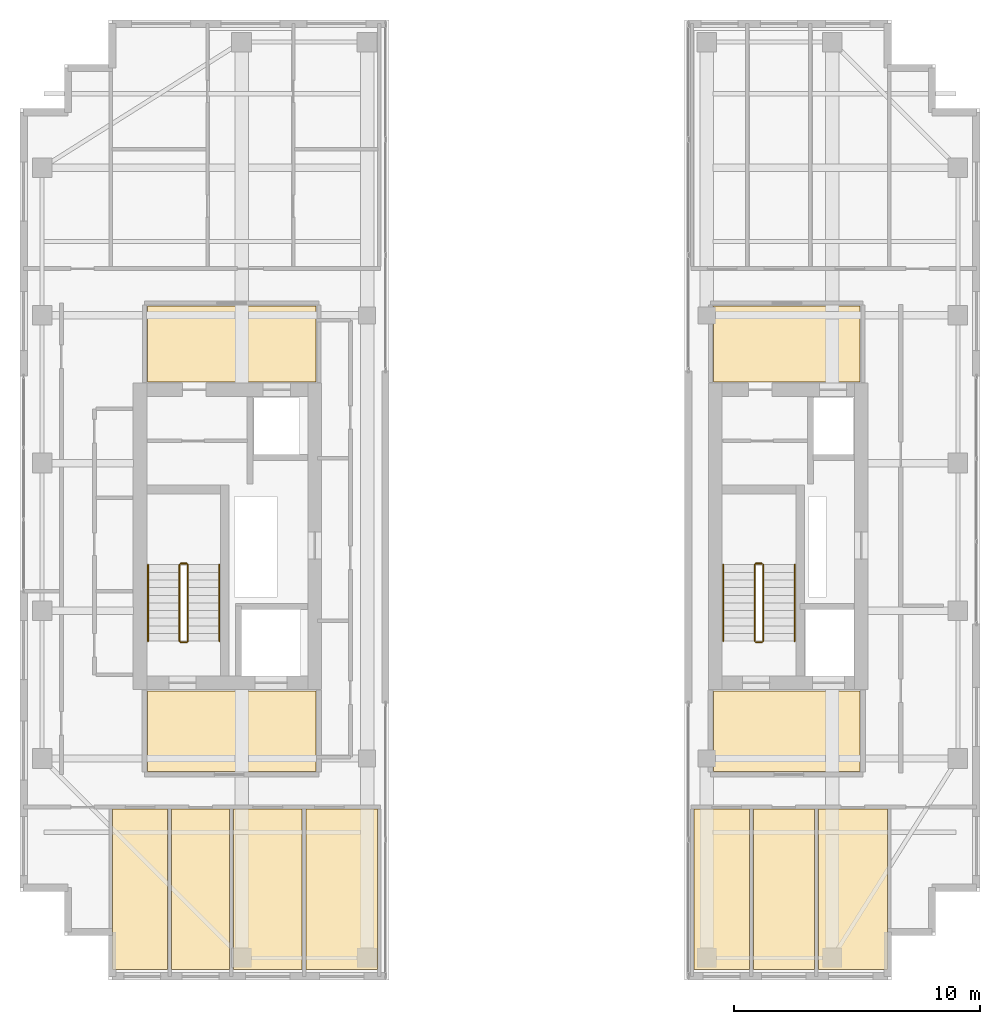
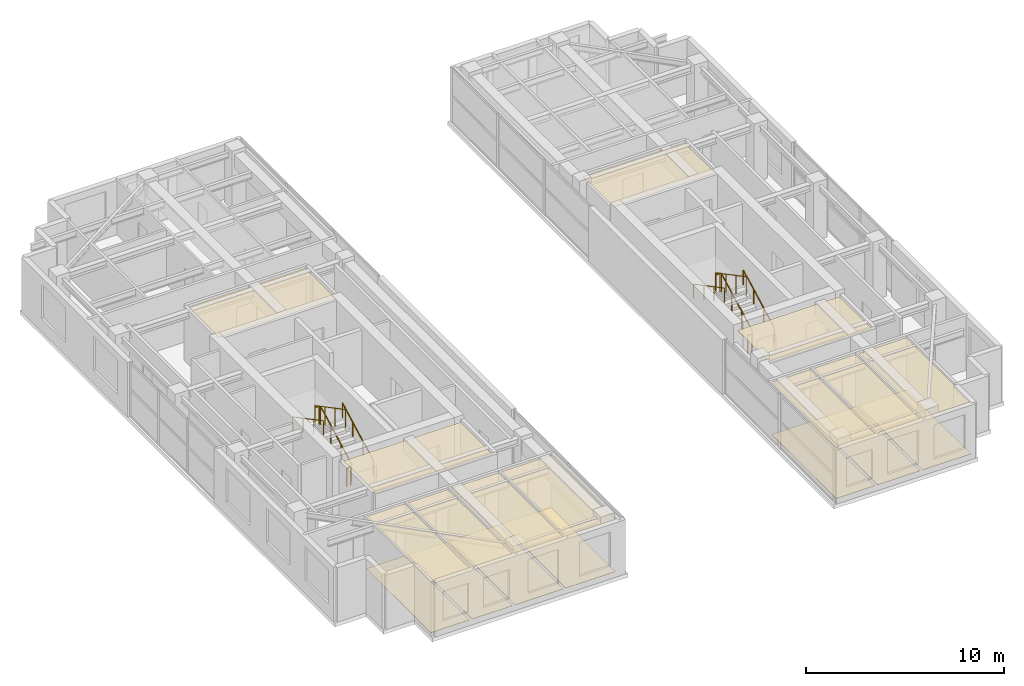
# One storey, part 22 of 23: 18 coverings, 12 railings.
"""IFC4 building model written with IfcOpenShell, lengths in metres."""

from ifc_helpers import new_model, si_unit, direction, frame, origin, origin_2d, place, context, subcontext, project, spatial, polyline, circle, outline, extrude, material, layer, layer_set, type_object, element, save


model = new_model("IFC4")

# Units and contexts
model_context = context("Model", 3, precision=1e-05, world=origin(), true_north=direction((0.0, 1.0)))
body_context = subcontext(model_context, "Body", "Model", "MODEL_VIEW")
ifc_project = project(units=[si_unit("LENGTHUNIT", "METRE"), si_unit("AREAUNIT", "SQUARE_METRE"), si_unit("VOLUMEUNIT", "CUBIC_METRE"), si_unit("PLANEANGLEUNIT", "RADIAN"), si_unit("MASSUNIT", "GRAM", prefix="KILO")], contexts=[model_context])

# Site, building, storey
site_placement = place(None, origin())
site = spatial("IfcSite", under=ifc_project, at=site_placement, CompositionType="ELEMENT")
building_placement = place(site_placement, origin())
building = spatial("IfcBuilding", under=site, at=building_placement, Name="Khoralis Quay Care Tower", CompositionType="ELEMENT")
storey_placement = place(building_placement, frame((0.0, 0.0, 252.89990234375)))
storey = spatial("IfcBuildingStorey", under=building, at=storey_placement, Name="L66", CompositionType="ELEMENT", Elevation=252.89990234375)

# Coverings
ifc_material_1 = material(Name="Mineral-fibre acoustic ceiling tile")
ifc_layer_1 = layer(ifc_material_1, 0.01806640625)
ifc_layer_set_1 = layer_set([ifc_layer_1], Name="Mineral-fibre acoustic ceiling tile")
covering_type_1 = type_object("IfcCoveringType", Name="COV-CEIL-AC18", PredefinedType="CEILING", material=ifc_layer_set_1)
covering_1_placement = place(storey_placement, frame((0.0, 0.0, 3.212158203125)))
element("IfcCovering", 1, at=covering_1_placement, inside=storey, type_object=covering_type_1, Name="Suspended Acoustic Ceiling SP-L66-FFLOB-W", PredefinedType="CEILING", context=body_context, shape_type="SweptSolid", body=[
    extrude(outline(polyline([(8.179931640625, 11.47998046875), (15.02001953125, 11.47998046875), (15.02001953125, 14.75), (8.179931640625, 14.75), (8.179931640625, 11.47998046875)])), origin(), (0.0, 0.0, 1.0), 0.017822265625),
])
covering_2_placement = place(storey_placement, frame((0.0, 0.0, 3.212158203125)))
element("IfcCovering", 2, at=covering_2_placement, inside=storey, type_object=covering_type_1, Name="Suspended Acoustic Ceiling SP-L66-FFLOB-E", PredefinedType="CEILING", context=body_context, shape_type="SweptSolid", body=[
    extrude(outline(polyline([(31.179931640625, 11.47998046875), (37.1201171875, 11.47998046875), (37.1201171875, 14.75), (31.179931640625, 14.75), (31.179931640625, 11.47998046875)])), origin(), (0.0, 0.0, 1.0), 0.017822265625),
])
covering_3_placement = place(storey_placement, frame((0.0, 0.0, 3.212158203125)))
element("IfcCovering", 3, at=covering_3_placement, inside=storey, type_object=covering_type_1, Name="Suspended Acoustic Ceiling SP-L66-LLOB-W", PredefinedType="CEILING", context=body_context, shape_type="SweptSolid", body=[
    extrude(outline(polyline([(8.179931640625, 27.300048828125), (15.02001953125, 27.300048828125), (15.02001953125, 30.389892578125), (8.179931640625, 30.389892578125), (8.179931640625, 27.300048828125)])), origin(), (0.0, 0.0, 1.0), 0.017822265625),
])
covering_4_placement = place(storey_placement, frame((0.0, 0.0, 3.212158203125)))
element("IfcCovering", 4, at=covering_4_placement, inside=storey, type_object=covering_type_1, Name="Suspended Acoustic Ceiling SP-L66-LLOB-E", PredefinedType="CEILING", context=body_context, shape_type="SweptSolid", body=[
    extrude(outline(polyline([(31.179931640625, 27.300048828125), (37.1201171875, 27.300048828125), (37.1201171875, 30.389892578125), (31.179931640625, 30.389892578125), (31.179931640625, 27.300048828125)])), origin(), (0.0, 0.0, 1.0), 0.017822265625),
])
covering_5_placement = place(storey_placement, frame((0.0, 0.0, 3.212158203125)))
element("IfcCovering", 5, at=covering_5_placement, inside=storey, type_object=covering_type_1, Name="Suspended Acoustic Ceiling SP-L66-WS-COM0", PredefinedType="CEILING", context=body_context, shape_type="SweptSolid", body=[
    extrude(outline(polyline([(6.760009765625, 3.419921875), (9.0, 3.419921875), (9.0, 9.93994140625), (6.760009765625, 9.93994140625), (6.760009765625, 3.419921875)])), origin(), (0.0, 0.0, 1.0), 0.017822265625),
])
covering_6_placement = place(storey_placement, frame((0.0, 0.0, 3.212158203125)))
element("IfcCovering", 6, at=covering_6_placement, inside=storey, type_object=covering_type_1, Name="Suspended Acoustic Ceiling SP-L66-WS-COM1", PredefinedType="CEILING", context=body_context, shape_type="SweptSolid", body=[
    extrude(outline(polyline([(9.159912109375, 3.419921875), (11.510009765625, 3.419921875), (11.510009765625, 9.93994140625), (9.159912109375, 9.93994140625), (9.159912109375, 3.419921875)])), origin(), (0.0, 0.0, 1.0), 0.017822265625),
])
covering_7_placement = place(storey_placement, frame((0.0, 0.0, 3.212158203125)))
element("IfcCovering", 7, at=covering_7_placement, inside=storey, type_object=covering_type_1, Name="Suspended Acoustic Ceiling SP-L66-WS-COM2", PredefinedType="CEILING", context=body_context, shape_type="SweptSolid", body=[
    extrude(outline(polyline([(11.669921875, 3.419921875), (14.4599609375, 3.419921875), (14.4599609375, 9.93994140625), (11.669921875, 9.93994140625), (11.669921875, 3.419921875)])), origin(), (0.0, 0.0, 1.0), 0.017822265625),
])
covering_8_placement = place(storey_placement, frame((0.0, 0.0, 3.212158203125)))
element("IfcCovering", 8, at=covering_8_placement, inside=storey, type_object=covering_type_1, Name="Suspended Acoustic Ceiling SP-L66-WS-COM3", PredefinedType="CEILING", context=body_context, shape_type="SweptSolid", body=[
    extrude(outline(polyline([(14.6201171875, 3.419921875), (17.52001953125, 3.419921875), (17.52001953125, 9.93994140625), (14.6201171875, 9.93994140625), (14.6201171875, 3.419921875)])), origin(), (0.0, 0.0, 1.0), 0.017822265625),
])
covering_9_placement = place(storey_placement, frame((0.0, 0.0, 3.212158203125)))
element("IfcCovering", 9, at=covering_9_placement, inside=storey, type_object=covering_type_1, Name="Suspended Acoustic Ceiling SP-L66-ES-COM0", PredefinedType="CEILING", context=body_context, shape_type="SweptSolid", body=[
    extrude(outline(polyline([(30.3798828125, 3.419921875), (32.6298828125, 3.419921875), (32.6298828125, 9.93994140625), (30.3798828125, 9.93994140625), (30.3798828125, 3.419921875)])), origin(), (0.0, 0.0, 1.0), 0.017822265625),
])
covering_10_placement = place(storey_placement, frame((0.0, 0.0, 3.212158203125)))
element("IfcCovering", 10, at=covering_10_placement, inside=storey, type_object=covering_type_1, Name="Suspended Acoustic Ceiling SP-L66-ES-COM1", PredefinedType="CEILING", context=body_context, shape_type="SweptSolid", body=[
    extrude(outline(polyline([(32.7900390625, 3.419921875), (35.27001953125, 3.419921875), (35.27001953125, 9.93994140625), (32.7900390625, 9.93994140625), (32.7900390625, 3.419921875)])), origin(), (0.0, 0.0, 1.0), 0.017822265625),
])
covering_11_placement = place(storey_placement, frame((0.0, 0.0, 3.212158203125)))
element("IfcCovering", 11, at=covering_11_placement, inside=storey, type_object=covering_type_1, Name="Suspended Acoustic Ceiling SP-L66-ES-COM2", PredefinedType="CEILING", context=body_context, shape_type="SweptSolid", body=[
    extrude(outline(polyline([(35.429931640625, 3.419921875), (38.239990234375, 3.419921875), (38.239990234375, 9.93994140625), (35.429931640625, 9.93994140625), (35.429931640625, 3.419921875)])), origin(), (0.0, 0.0, 1.0), 0.017822265625),
])
ifc_material_2 = material(Name="Porcelain and non-slip vinyl flooring")
ifc_layer_2 = layer(ifc_material_2, 0.02001953125)
ifc_layer_set_2 = layer_set([ifc_layer_2], Name="Porcelain and non-slip vinyl flooring")
covering_type_2 = type_object("IfcCoveringType", Name="COV-FLOOR-20", PredefinedType="FLOORING", material=ifc_layer_set_2)
covering_12_placement = place(storey_placement, origin())
element("IfcCovering", 12, at=covering_12_placement, inside=storey, type_object=covering_type_2, Name="Resilient Healthcare Flooring SP-L66-WS-COM0", PredefinedType="FLOORING", context=body_context, shape_type="SweptSolid", body=[
    extrude(outline(polyline([(6.760009765625, 3.419921875), (9.0, 3.419921875), (9.0, 9.93994140625), (6.760009765625, 9.93994140625), (6.760009765625, 3.419921875)])), origin(), (0.0, 0.0, 1.0), 0.02001953125),
])
covering_13_placement = place(storey_placement, origin())
element("IfcCovering", 13, at=covering_13_placement, inside=storey, type_object=covering_type_2, Name="Resilient Healthcare Flooring SP-L66-WS-COM1", PredefinedType="FLOORING", context=body_context, shape_type="SweptSolid", body=[
    extrude(outline(polyline([(9.159912109375, 3.419921875), (11.510009765625, 3.419921875), (11.510009765625, 9.93994140625), (9.159912109375, 9.93994140625), (9.159912109375, 3.419921875)])), origin(), (0.0, 0.0, 1.0), 0.02001953125),
])
covering_14_placement = place(storey_placement, origin())
element("IfcCovering", 14, at=covering_14_placement, inside=storey, type_object=covering_type_2, Name="Resilient Healthcare Flooring SP-L66-WS-COM2", PredefinedType="FLOORING", context=body_context, shape_type="SweptSolid", body=[
    extrude(outline(polyline([(11.669921875, 3.419921875), (14.4599609375, 3.419921875), (14.4599609375, 9.93994140625), (11.669921875, 9.93994140625), (11.669921875, 3.419921875)])), origin(), (0.0, 0.0, 1.0), 0.02001953125),
])
covering_15_placement = place(storey_placement, origin())
element("IfcCovering", 15, at=covering_15_placement, inside=storey, type_object=covering_type_2, Name="Resilient Healthcare Flooring SP-L66-WS-COM3", PredefinedType="FLOORING", context=body_context, shape_type="SweptSolid", body=[
    extrude(outline(polyline([(14.6201171875, 3.419921875), (17.52001953125, 3.419921875), (17.52001953125, 9.93994140625), (14.6201171875, 9.93994140625), (14.6201171875, 3.419921875)])), origin(), (0.0, 0.0, 1.0), 0.02001953125),
])
covering_16_placement = place(storey_placement, origin())
element("IfcCovering", 16, at=covering_16_placement, inside=storey, type_object=covering_type_2, Name="Resilient Healthcare Flooring SP-L66-ES-COM0", PredefinedType="FLOORING", context=body_context, shape_type="SweptSolid", body=[
    extrude(outline(polyline([(30.3798828125, 3.419921875), (32.6298828125, 3.419921875), (32.6298828125, 9.93994140625), (30.3798828125, 9.93994140625), (30.3798828125, 3.419921875)])), origin(), (0.0, 0.0, 1.0), 0.02001953125),
])
covering_17_placement = place(storey_placement, origin())
element("IfcCovering", 17, at=covering_17_placement, inside=storey, type_object=covering_type_2, Name="Resilient Healthcare Flooring SP-L66-ES-COM1", PredefinedType="FLOORING", context=body_context, shape_type="SweptSolid", body=[
    extrude(outline(polyline([(32.7900390625, 3.419921875), (35.27001953125, 3.419921875), (35.27001953125, 9.93994140625), (32.7900390625, 9.93994140625), (32.7900390625, 3.419921875)])), origin(), (0.0, 0.0, 1.0), 0.02001953125),
])
covering_18_placement = place(storey_placement, origin())
element("IfcCovering", 18, at=covering_18_placement, inside=storey, type_object=covering_type_2, Name="Resilient Healthcare Flooring SP-L66-ES-COM2", PredefinedType="FLOORING", context=body_context, shape_type="SweptSolid", body=[
    extrude(outline(polyline([(35.429931640625, 3.419921875), (38.239990234375, 3.419921875), (38.239990234375, 9.93994140625), (35.429931640625, 9.93994140625), (35.429931640625, 3.419921875)])), origin(), (0.0, 0.0, 1.0), 0.02001953125),
])

# Railings
ifc_material_3 = material(Name="Brushed stainless steel", Category="steel")
railing_type_1 = type_object("IfcRailingType", Name="RL-GUARD-1150", PredefinedType="GUARDRAIL", material=ifc_material_3)
railing_1_placement = place(storey_placement, frame((9.820068359375, 16.77001953125, 0.163818359375)))
element("IfcRailing", 19, at=railing_1_placement, inside=storey, type_object=railing_type_1, Name="L66 ST-T1 stair guard 1", PredefinedType="GUARDRAIL", context=body_context, shape_type="SweptSolid", body=[
    extrude(circle(Radius=0.02392578125, at=origin_2d()), frame((0.0, 0.0, 1.1259765625), z_axis=(0.0, 0.884376766648, 0.46677375099), x_axis=(-1.0, 0.0, 0.0)), (0.0, 0.0, 1.0), 3.50537109375),
    extrude(circle(Radius=0.02099609375, at=origin_2d()), origin(), (0.0, 0.0, 1.0), 1.101806640625),
    extrude(circle(Radius=0.02099609375, at=origin_2d()), frame((0.0, 1.033447265625, 0.54541015625)), (0.0, 0.0, 1.0), 1.101806640625),
    extrude(circle(Radius=0.02099609375, at=origin_2d()), frame((0.0, 2.066650390625, 1.0908203125)), (0.0, 0.0, 1.0), 1.101806640625),
    extrude(circle(Radius=0.02099609375, at=origin_2d()), frame((0.0, 3.10009765625, 1.63623046875)), (0.0, 0.0, 1.0), 1.101806640625),
])
railing_2_placement = place(storey_placement, frame((9.77001953125, 19.919921875, 1.800048828125)))
element("IfcRailing", 20, at=railing_2_placement, inside=storey, type_object=railing_type_1, Name="L66 ST-T1 stair guard 2", PredefinedType="GUARDRAIL", context=body_context, shape_type="SweptSolid", body=[
    extrude(circle(Radius=0.02392578125, at=origin_2d()), frame((0.0, 0.0, 1.1259765625), z_axis=(-1.0, 0.0, 0.0), x_axis=(0.0, -1.0, 0.0)), (0.0, 0.0, 1.0), 0.239990234375),
    extrude(circle(Radius=0.02099609375, at=origin_2d()), origin(), (0.0, 0.0, 1.0), 1.101806640625),
    extrude(circle(Radius=0.02099609375, at=origin_2d()), frame((-0.239990234375, 0.0, 0.0)), (0.0, 0.0, 1.0), 1.101806640625),
])
railing_3_placement = place(storey_placement, frame((9.47998046875, 19.8701171875, 1.963623046875)))
element("IfcRailing", 21, at=railing_3_placement, inside=storey, type_object=railing_type_1, Name="L66 ST-T1 stair guard 3", PredefinedType="GUARDRAIL", context=body_context, shape_type="SweptSolid", body=[
    extrude(circle(Radius=0.02392578125, at=origin_2d()), frame((0.0, 0.0, 1.1259765625), z_axis=(0.0, -0.884348015382, 0.466828220752), x_axis=(1.0, 0.0, 0.0)), (0.0, 0.0, 1.0), 3.505615234375),
    extrude(circle(Radius=0.02099609375, at=origin_2d()), origin(), (0.0, 0.0, 1.0), 1.101806640625),
    extrude(circle(Radius=0.02099609375, at=origin_2d()), frame((0.0, -1.033447265625, 0.54541015625)), (0.0, 0.0, 1.0), 1.101806640625),
    extrude(circle(Radius=0.02099609375, at=origin_2d()), frame((0.0, -2.066650390625, 1.091064453125)), (0.0, 0.0, 1.0), 1.101806640625),
    extrude(circle(Radius=0.02099609375, at=origin_2d()), frame((0.0, -3.10009765625, 1.636474609375)), (0.0, 0.0, 1.0), 1.101806640625),
])
railing_4_placement = place(storey_placement, frame((9.77001953125, 16.719970703125, 0.0)))
element("IfcRailing", 22, at=railing_4_placement, inside=storey, type_object=railing_type_1, Name="L66 ST-T1 stair guard 4", PredefinedType="GUARDRAIL", context=body_context, shape_type="SweptSolid", body=[
    extrude(circle(Radius=0.02392578125, at=origin_2d()), frame((0.0, 0.0, 1.1259765625), z_axis=(-1.0, 0.0, 0.0), x_axis=(0.0, -1.0, 0.0)), (0.0, 0.0, 1.0), 0.239990234375),
    extrude(circle(Radius=0.02099609375, at=origin_2d()), origin(), (0.0, 0.0, 1.0), 1.101806640625),
    extrude(circle(Radius=0.02099609375, at=origin_2d()), frame((-0.239990234375, 0.0, 0.0)), (0.0, 0.0, 1.0), 1.101806640625),
])
railing_5_placement = place(storey_placement, frame((33.18994140625, 16.77001953125, 0.163818359375)))
element("IfcRailing", 23, at=railing_5_placement, inside=storey, type_object=railing_type_1, Name="L66 ST-T2 stair guard 1", PredefinedType="GUARDRAIL", context=body_context, shape_type="SweptSolid", body=[
    extrude(circle(Radius=0.02392578125, at=origin_2d()), frame((0.0, 0.0, 1.1259765625), z_axis=(0.0, 0.884376766648, 0.46677375099), x_axis=(-1.0, 0.0, 0.0)), (0.0, 0.0, 1.0), 3.50537109375),
    extrude(circle(Radius=0.02099609375, at=origin_2d()), origin(), (0.0, 0.0, 1.0), 1.101806640625),
    extrude(circle(Radius=0.02099609375, at=origin_2d()), frame((0.0, 1.033447265625, 0.54541015625)), (0.0, 0.0, 1.0), 1.101806640625),
    extrude(circle(Radius=0.02099609375, at=origin_2d()), frame((0.0, 2.066650390625, 1.0908203125)), (0.0, 0.0, 1.0), 1.101806640625),
    extrude(circle(Radius=0.02099609375, at=origin_2d()), frame((0.0, 3.10009765625, 1.63623046875)), (0.0, 0.0, 1.0), 1.101806640625),
])
railing_6_placement = place(storey_placement, frame((33.139892578125, 19.919921875, 1.800048828125)))
element("IfcRailing", 24, at=railing_6_placement, inside=storey, type_object=railing_type_1, Name="L66 ST-T2 stair guard 2", PredefinedType="GUARDRAIL", context=body_context, shape_type="SweptSolid", body=[
    extrude(circle(Radius=0.02392578125, at=origin_2d()), frame((0.0, 0.0, 1.1259765625), z_axis=(-1.0, 0.0, 0.0), x_axis=(0.0, -1.0, 0.0)), (0.0, 0.0, 1.0), 0.239990234375),
    extrude(circle(Radius=0.02099609375, at=origin_2d()), origin(), (0.0, 0.0, 1.0), 1.101806640625),
    extrude(circle(Radius=0.02099609375, at=origin_2d()), frame((-0.239990234375, 0.0, 0.0)), (0.0, 0.0, 1.0), 1.101806640625),
])
railing_7_placement = place(storey_placement, frame((32.85009765625, 19.8701171875, 1.963623046875)))
element("IfcRailing", 25, at=railing_7_placement, inside=storey, type_object=railing_type_1, Name="L66 ST-T2 stair guard 3", PredefinedType="GUARDRAIL", context=body_context, shape_type="SweptSolid", body=[
    extrude(circle(Radius=0.02392578125, at=origin_2d()), frame((0.0, 0.0, 1.1259765625), z_axis=(0.0, -0.884348015382, 0.466828220752), x_axis=(1.0, 0.0, 0.0)), (0.0, 0.0, 1.0), 3.505615234375),
    extrude(circle(Radius=0.02099609375, at=origin_2d()), origin(), (0.0, 0.0, 1.0), 1.101806640625),
    extrude(circle(Radius=0.02099609375, at=origin_2d()), frame((0.0, -1.033447265625, 0.54541015625)), (0.0, 0.0, 1.0), 1.101806640625),
    extrude(circle(Radius=0.02099609375, at=origin_2d()), frame((0.0, -2.066650390625, 1.091064453125)), (0.0, 0.0, 1.0), 1.101806640625),
    extrude(circle(Radius=0.02099609375, at=origin_2d()), frame((0.0, -3.10009765625, 1.636474609375)), (0.0, 0.0, 1.0), 1.101806640625),
])
railing_8_placement = place(storey_placement, frame((33.139892578125, 16.719970703125, 0.0)))
element("IfcRailing", 26, at=railing_8_placement, inside=storey, type_object=railing_type_1, Name="L66 ST-T2 stair guard 4", PredefinedType="GUARDRAIL", context=body_context, shape_type="SweptSolid", body=[
    extrude(circle(Radius=0.02392578125, at=origin_2d()), frame((0.0, 0.0, 1.1259765625), z_axis=(-1.0, 0.0, 0.0), x_axis=(0.0, -1.0, 0.0)), (0.0, 0.0, 1.0), 0.239990234375),
    extrude(circle(Radius=0.02099609375, at=origin_2d()), origin(), (0.0, 0.0, 1.0), 1.101806640625),
    extrude(circle(Radius=0.02099609375, at=origin_2d()), frame((-0.239990234375, 0.0, 0.0)), (0.0, 0.0, 1.0), 1.101806640625),
])
railing_type_2 = type_object("IfcRailingType", Name="RL-HAND-900", PredefinedType="HANDRAIL", material=ifc_material_3)
railing_9_placement = place(storey_placement, frame((11.10009765625, 16.77001953125, 0.163818359375)))
element("IfcRailing", 27, at=railing_9_placement, inside=storey, type_object=railing_type_2, Name="L66 ST-T1 stair handrail 1", PredefinedType="HANDRAIL", context=body_context, shape_type="SweptSolid", body=[
    extrude(circle(Radius=0.02392578125, at=origin_2d()), frame((0.0, 0.0, 0.8759765625), z_axis=(0.0, 0.884376766648, 0.46677375099), x_axis=(-1.0, 0.0, 0.0)), (0.0, 0.0, 1.0), 3.50537109375),
    extrude(circle(Radius=0.02099609375, at=origin_2d()), origin(), (0.0, 0.0, 1.0), 0.851806640625),
    extrude(circle(Radius=0.02099609375, at=origin_2d()), frame((0.0, 1.033447265625, 0.54541015625)), (0.0, 0.0, 1.0), 0.851806640625),
    extrude(circle(Radius=0.02099609375, at=origin_2d()), frame((0.0, 2.066650390625, 1.0908203125)), (0.0, 0.0, 1.0), 0.851806640625),
    extrude(circle(Radius=0.02099609375, at=origin_2d()), frame((0.0, 3.10009765625, 1.63623046875)), (0.0, 0.0, 1.0), 0.851806640625),
])
railing_10_placement = place(storey_placement, frame((8.199951171875, 19.8701171875, 1.963623046875)))
element("IfcRailing", 28, at=railing_10_placement, inside=storey, type_object=railing_type_2, Name="L66 ST-T1 stair handrail 2", PredefinedType="HANDRAIL", context=body_context, shape_type="SweptSolid", body=[
    extrude(circle(Radius=0.02392578125, at=origin_2d()), frame((0.0, 0.0, 0.8759765625), z_axis=(0.0, -0.884348015382, 0.466828220752), x_axis=(1.0, 0.0, 0.0)), (0.0, 0.0, 1.0), 3.505615234375),
    extrude(circle(Radius=0.02099609375, at=origin_2d()), origin(), (0.0, 0.0, 1.0), 0.851806640625),
    extrude(circle(Radius=0.02099609375, at=origin_2d()), frame((0.0, -1.033447265625, 0.54541015625)), (0.0, 0.0, 1.0), 0.851806640625),
    extrude(circle(Radius=0.02099609375, at=origin_2d()), frame((0.0, -2.066650390625, 1.091064453125)), (0.0, 0.0, 1.0), 0.851806640625),
    extrude(circle(Radius=0.02099609375, at=origin_2d()), frame((0.0, -3.10009765625, 1.636474609375)), (0.0, 0.0, 1.0), 0.851806640625),
])
railing_11_placement = place(storey_placement, frame((34.469970703125, 16.77001953125, 0.163818359375)))
element("IfcRailing", 29, at=railing_11_placement, inside=storey, type_object=railing_type_2, Name="L66 ST-T2 stair handrail 1", PredefinedType="HANDRAIL", context=body_context, shape_type="SweptSolid", body=[
    extrude(circle(Radius=0.02392578125, at=origin_2d()), frame((0.0, 0.0, 0.8759765625), z_axis=(0.0, 0.884376766648, 0.46677375099), x_axis=(-1.0, 0.0, 0.0)), (0.0, 0.0, 1.0), 3.50537109375),
    extrude(circle(Radius=0.02099609375, at=origin_2d()), origin(), (0.0, 0.0, 1.0), 0.851806640625),
    extrude(circle(Radius=0.02099609375, at=origin_2d()), frame((0.0, 1.033447265625, 0.54541015625)), (0.0, 0.0, 1.0), 0.851806640625),
    extrude(circle(Radius=0.02099609375, at=origin_2d()), frame((0.0, 2.066650390625, 1.0908203125)), (0.0, 0.0, 1.0), 0.851806640625),
    extrude(circle(Radius=0.02099609375, at=origin_2d()), frame((0.0, 3.10009765625, 1.63623046875)), (0.0, 0.0, 1.0), 0.851806640625),
])
railing_12_placement = place(storey_placement, frame((31.570068359375, 19.8701171875, 1.963623046875)))
element("IfcRailing", 30, at=railing_12_placement, inside=storey, type_object=railing_type_2, Name="L66 ST-T2 stair handrail 2", PredefinedType="HANDRAIL", context=body_context, shape_type="SweptSolid", body=[
    extrude(circle(Radius=0.02392578125, at=origin_2d()), frame((0.0, 0.0, 0.8759765625), z_axis=(0.0, -0.884348015382, 0.466828220752), x_axis=(1.0, 0.0, 0.0)), (0.0, 0.0, 1.0), 3.505615234375),
    extrude(circle(Radius=0.02099609375, at=origin_2d()), origin(), (0.0, 0.0, 1.0), 0.851806640625),
    extrude(circle(Radius=0.02099609375, at=origin_2d()), frame((0.0, -1.033447265625, 0.54541015625)), (0.0, 0.0, 1.0), 0.851806640625),
    extrude(circle(Radius=0.02099609375, at=origin_2d()), frame((0.0, -2.066650390625, 1.091064453125)), (0.0, 0.0, 1.0), 0.851806640625),
    extrude(circle(Radius=0.02099609375, at=origin_2d()), frame((0.0, -3.10009765625, 1.636474609375)), (0.0, 0.0, 1.0), 0.851806640625),
])

save(model, "model.ifc")
